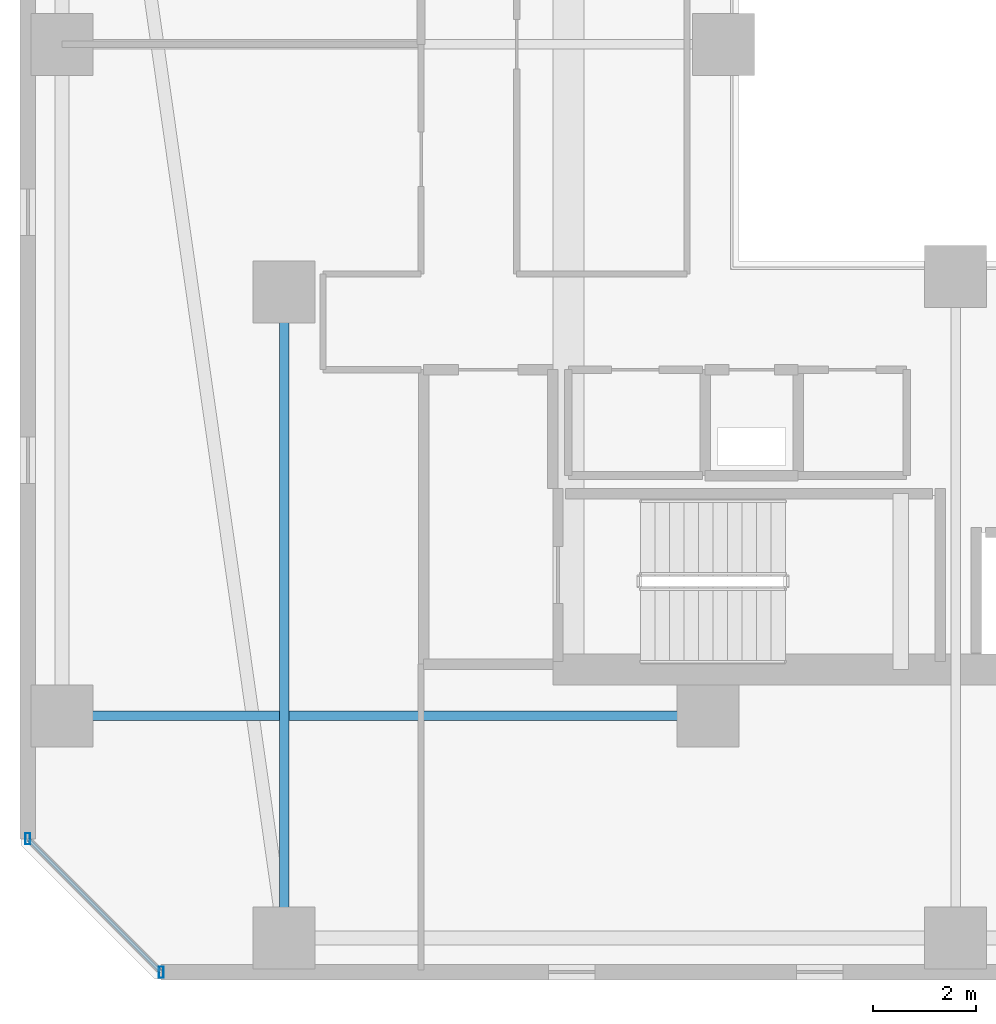
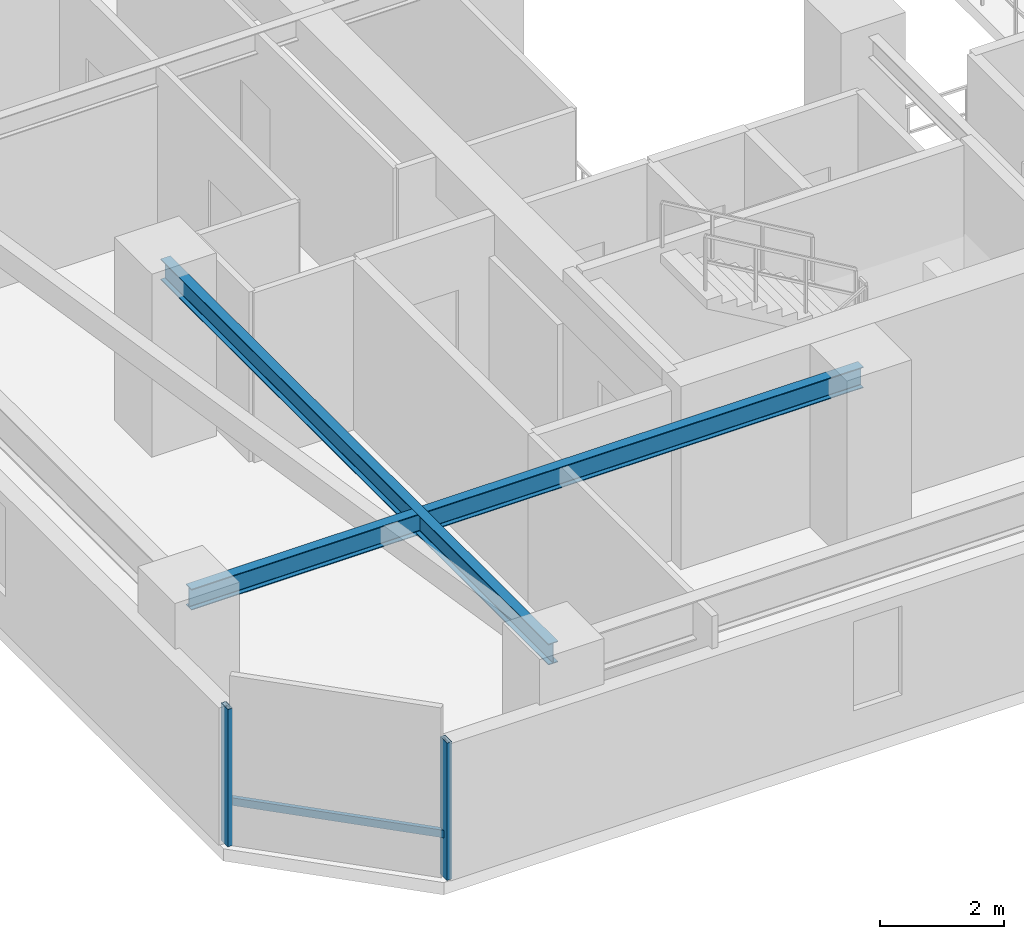
# One storey, part 3 of 31: 3 members, 2 beams, 1 element without a shape of its own.
"""IFC4 building model written with IfcOpenShell, lengths in metres."""

from ifc_helpers import new_model, si_unit, direction, frame, origin, origin_2d, place, context, subcontext, project, spatial, hollow_rectangle, i_section, extrude, material, material_profile, profile_set, type_object, element, aggregate, save


model = new_model("IFC4")

# Units and contexts
model_context = context("Model", 3, precision=1e-05, world=origin(), true_north=direction((0.0, 1.0)))
body_context = subcontext(model_context, "Body", "Model", "MODEL_VIEW")
ifc_project = project(units=[si_unit("LENGTHUNIT", "METRE"), si_unit("AREAUNIT", "SQUARE_METRE"), si_unit("VOLUMEUNIT", "CUBIC_METRE"), si_unit("PLANEANGLEUNIT", "RADIAN"), si_unit("MASSUNIT", "GRAM", prefix="KILO")], contexts=[model_context])

# Site, building, storey
site_placement = place(None, origin())
site = spatial("IfcSite", under=ifc_project, at=site_placement, CompositionType="ELEMENT")
building_placement = place(site_placement, origin())
building = spatial("IfcBuilding", under=site, at=building_placement, Name="Thornwick Lancets Civic Towers", CompositionType="ELEMENT")
storey_placement = place(building_placement, frame((0.0, 0.0, 90.89990234375)))
storey = spatial("IfcBuildingStorey", under=building, at=storey_placement, Name="L23", CompositionType="ELEMENT", Elevation=90.89990234375)

# Beams
ifc_material_1 = material(Name="Steel S355JR", Category="steel")
ifc_material_profile_1 = material_profile(ifc_material_1, i_section(OverallWidth=0.179443359375, OverallDepth=0.412841796875, WebThickness=0.009521484375, FlangeThickness=0.01611328125, FilletRadius=0.01025390625, at=origin_2d()), Name="UKB 406x178x74")
ifc_profile_set_1 = profile_set([ifc_material_profile_1], Name="Steel S355JR")
beam_type = type_object("IfcBeamType", Name="BM_JOIST_406_74", PredefinedType="JOIST", material=ifc_profile_set_1)
for number, where, z_axis, x_axis, name in (
    (1, (12.5, 22.199951171875, 3.15380859375), (0.0, -1.0, 0.0), (1.0, 0.0, 0.0), "BM-RADIN-L23-A01"),
    (2, (20.699951171875, 14.0, 3.15380859375), (-1.0, 0.0, 0.0), (0.0, -1.0, 0.0), "BM-RADIN-L23-A10"),
):
    element("IfcBeam", number, at=place(storey_placement, frame(where, z_axis=z_axis, x_axis=x_axis)), inside=storey, type_object=beam_type, Name=name, PredefinedType="JOIST", context=body_context, shape_type="SweptSolid", body=[
        extrude(i_section(OverallWidth=0.179443359375, OverallDepth=0.412841796875, WebThickness=0.009521484375, FlangeThickness=0.01611328125, FilletRadius=0.01025390625, at=origin_2d()), origin(), (0.0, 0.0, 1.0), 12.5),
    ])

# Curtain wall, members
ifc_material_2 = material(Name="Low-zone chamfered-corner unitised glass curtain wall", Category="glass")
curtain_wall_type = type_object("IfcCurtainWallType", Name="CW_SYS_03", PredefinedType="NOTDEFINED", material=ifc_material_2)
curtain_wall_placement = place(storey_placement, origin())
curtain_wall = element("IfcCurtainWall", 3, at=curtain_wall_placement, inside=storey, type_object=curtain_wall_type, Name="L23 Curtain Wall CW-L23-A-E7", PredefinedType="NOTDEFINED")
ifc_material_3 = material(Name="Thermally broken bronze aluminium S355", Category="steel")
ifc_material_profile_2 = material_profile(ifc_material_3, hollow_rectangle(XDim=0.090087890625, YDim=0.219970703125, WallThickness=0.00634765625, at=origin_2d()), Name="RHS 220x90x6.3")
ifc_profile_set_2 = profile_set([ifc_material_profile_2], Name="Thermally broken bronze aluminium S355")
member_type_1 = type_object("IfcMemberType", Name="CW_MUL_220", PredefinedType="MULLION", material=ifc_profile_set_2)
member_1_placement = place(storey_placement, frame((7.535400390625, 11.61865234375, 0.0), z_axis=(0.0, 0.0, 1.0), x_axis=(1.0, 0.0, 0.0)))
member_1 = element("IfcMember", 4, at=member_1_placement, type_object=member_type_1, Name="CW-L23-A-E7 Mullion 0", PredefinedType="MULLION", context=body_context, shape_type="SweptSolid", body=[
    extrude(hollow_rectangle(XDim=0.090087890625, YDim=0.219970703125, WallThickness=0.00634765625, at=origin_2d()), origin(), (0.0, 0.0, 1.0), 2.7001953125),
])
member_2_placement = place(storey_placement, frame((10.11865234375, 9.035400390625, 0.0), z_axis=(0.0, 0.0, 1.0), x_axis=(1.0, 0.0, 0.0)))
member_2 = element("IfcMember", 5, at=member_2_placement, type_object=member_type_1, Name="CW-L23-A-E7 Mullion 1", PredefinedType="MULLION", context=body_context, shape_type="SweptSolid", body=[
    extrude(hollow_rectangle(XDim=0.090087890625, YDim=0.219970703125, WallThickness=0.00634765625, at=origin_2d()), origin(), (0.0, 0.0, 1.0), 2.7001953125),
])
ifc_material_profile_3 = material_profile(ifc_material_3, hollow_rectangle(XDim=0.074951171875, YDim=0.14990234375, WallThickness=0.0048828125, at=origin_2d()), Name="RHS 150x75x5")
ifc_profile_set_3 = profile_set([ifc_material_profile_3], Name="Thermally broken bronze aluminium S355")
member_type_2 = type_object("IfcMemberType", Name="CW_TRN_150", PredefinedType="USERDEFINED", material=ifc_profile_set_3)
member_3_placement = place(storey_placement, frame((7.54931640625, 11.6044921875, 0.85009765625), z_axis=(0.707106781187, -0.707106781187, 0.0), x_axis=(0.707106781187, 0.707106781187, 0.0)))
member_3 = element("IfcMember", 6, at=member_3_placement, type_object=member_type_2, Name="CW-L23-A-E7 Transom 0", ObjectType="TRANSOM", PredefinedType="USERDEFINED", context=body_context, shape_type="SweptSolid", body=[
    extrude(hollow_rectangle(XDim=0.074951171875, YDim=0.14990234375, WallThickness=0.0048828125, at=origin_2d()), origin(), (0.0, 0.0, 1.0), 3.613525390625),
])
aggregate(curtain_wall, [member_1, member_2, member_3])

save(model, "model.ifc")
